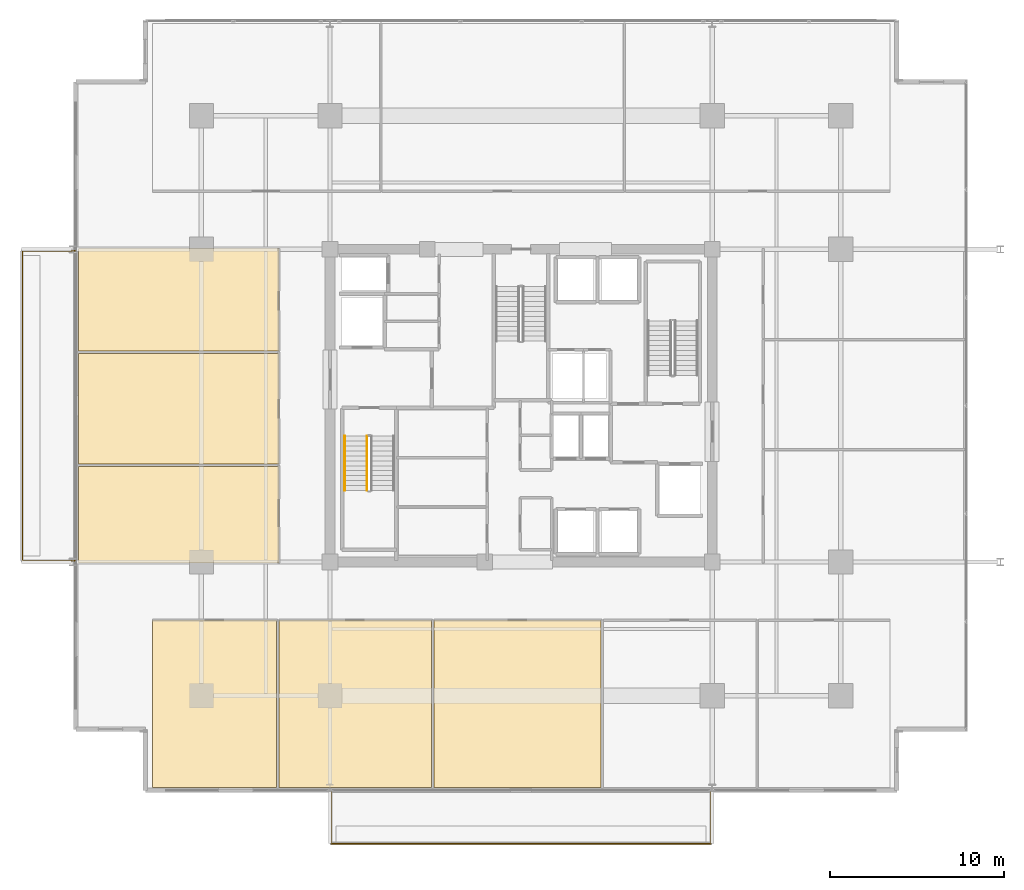
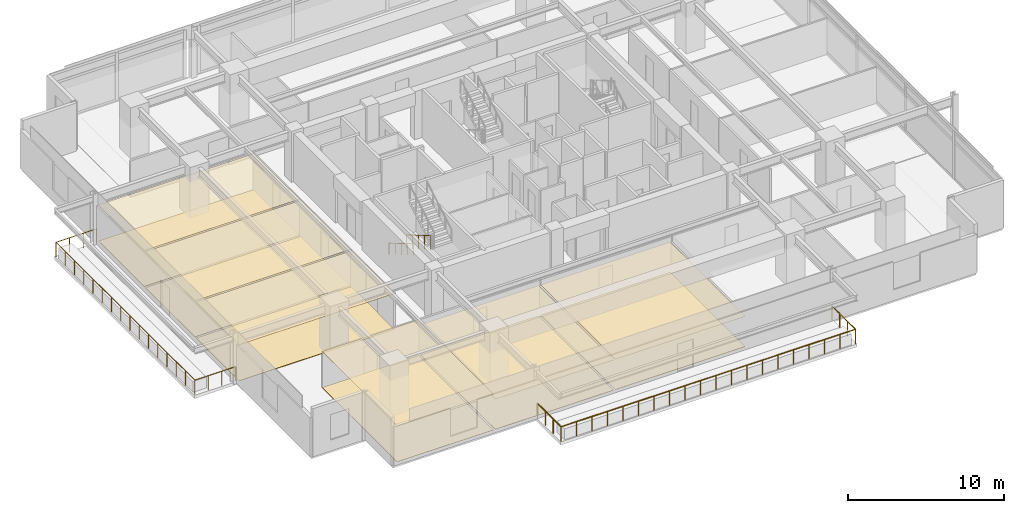
# One storey, part 19 of 23: 12 coverings, 4 railings.
"""IFC4 building model written with IfcOpenShell, lengths in metres."""

import ifcopenshell
import ifcopenshell.guid

model = None  # the IFC model being written
_history = None  # IfcOwnerHistory: only IFC2X3 demands one
_inside = {}  # id of a spatial element -> (the spatial element, [elements in it])
_under = {}  # id of a project, library or spatial element -> (it, [spatial elements below it])
_declared = {}  # id of a project -> (the project, [libraries it declares])
_typed = {}  # id of a type object -> (the type object, [elements of that type])
_made_of = {}  # id of a material, layer set ... -> (it, [elements and type objects made of it])


def new_model(schema):
    """Start an empty IFC model of exactly this schema.

    Asked for "IFC4X3", IfcOpenShell would pick the latest addendum, in which some entities
    have other attributes; the version numbers below select the first issue.
    IFC2X3 requires an IfcOwnerHistory on every rooted entity: one is made here for all.
    """
    global model, _history
    if schema == "IFC4X3":
        model = ifcopenshell.file(schema_version=(4, 3, 0, 0))
    else:
        model = ifcopenshell.file(schema=schema)
    _inside.clear()
    _under.clear()
    _declared.clear()
    _typed.clear()
    _made_of.clear()
    _history = None
    if model.schema == "IFC2X3":
        org = make("IfcOrganization", Name="unknown")
        user = make(
            "IfcPersonAndOrganization",
            ThePerson=make("IfcPerson", FamilyName="unknown"),
            TheOrganization=org,
        )
        app = make(
            "IfcApplication",
            ApplicationDeveloper=org,
            Version="unknown",
            ApplicationFullName="unknown",
            ApplicationIdentifier="unknown",
        )
        _history = make(
            "IfcOwnerHistory",
            OwningUser=user,
            OwningApplication=app,
            ChangeAction="ADDED",
            CreationDate=0,
        )
    return model


def make(cls, **values):
    """One entity of the class cls with the attributes given. An attribute that is None is left unset."""
    return model.create_entity(
        cls, **{name: value for name, value in values.items() if value is not None}
    )


def rooted(cls, **values):
    """An entity with a GlobalId (a new one), such as an element, a storey or a relation."""
    return make(cls, GlobalId=ifcopenshell.guid.new(), OwnerHistory=_history, **values)


def si_unit(unit_type, name, prefix=None):
    """IfcSIUnit, for example si_unit("LENGTHUNIT", "METRE", prefix="MILLI")."""
    return make("IfcSIUnit", UnitType=unit_type, Prefix=prefix, Name=name)


def assignment(units):
    """IfcUnitAssignment: the units of a project."""
    return None if units is None else make("IfcUnitAssignment", Units=units)


def point(xyz):
    """IfcCartesianPoint."""
    return None if xyz is None else make("IfcCartesianPoint", Coordinates=xyz)


def direction(xyz):
    """IfcDirection."""
    return None if xyz is None else make("IfcDirection", DirectionRatios=xyz)


def frame(location, z_axis=None, x_axis=None):
    """IfcAxis2Placement3D, a coordinate frame: its origin and axes. An axis left out is left unset."""
    return make(
        "IfcAxis2Placement3D",
        Location=point(location),
        Axis=direction(z_axis),
        RefDirection=direction(x_axis),
    )


def frame_2d(location, x_axis=None):
    """IfcAxis2Placement2D, a coordinate frame in the plane: its origin and x axis."""
    return make(
        "IfcAxis2Placement2D", Location=point(location), RefDirection=direction(x_axis)
    )


def origin():
    """The frame at (0, 0, 0) with its axes left unset."""
    return frame((0.0, 0.0, 0.0))


def origin_2d():
    """The frame at (0, 0) in the plane with its x axis left unset."""
    return frame_2d((0.0, 0.0))


def place(relative_to, where):
    """IfcLocalPlacement: puts the frame where relative to a parent placement (None: the world)."""
    return make(
        "IfcLocalPlacement", PlacementRelTo=relative_to, RelativePlacement=where
    )


def context(
    kind, dimensions, precision=None, world=None, true_north=None, identifier=None
):
    """IfcGeometricRepresentationContext, for example the 3D "Model" context."""
    return make(
        "IfcGeometricRepresentationContext",
        ContextIdentifier=identifier,
        ContextType=kind,
        CoordinateSpaceDimension=dimensions,
        Precision=precision,
        WorldCoordinateSystem=world,
        TrueNorth=true_north,
    )


def subcontext(parent, identifier, kind, view, scale=None):
    """IfcGeometricRepresentationSubContext, for example "Body" below "Model"."""
    return make(
        "IfcGeometricRepresentationSubContext",
        ContextIdentifier=identifier,
        ContextType=kind,
        ParentContext=parent,
        TargetScale=scale,
        TargetView=view,
    )


def project(units=None, contexts=None):
    """IfcProject with its units and contexts."""
    return rooted(
        "IfcProject",
        Name="project",
        RepresentationContexts=contexts,
        UnitsInContext=assignment(units),
    )


def spatial(cls, under=None, at=None, **own):
    """A site, building, storey or space (cls), placed at a placement, below another one or the project."""
    s = rooted(cls, ObjectPlacement=at, **own)
    if under is not None:
        _under.setdefault(under.id(), (under, []))[1].append(s)
    return s


def polyline(points):
    """IfcPolyline through the points."""
    return make("IfcPolyline", Points=[point(p) for p in points])


def profile(cls, at=None, kind="AREA", **sizes):
    """A parametric profile (cls). Its sizes go by their IFC names, for example OverallWidth=200.0."""
    return make(cls, ProfileType=kind, Position=at, **sizes)


def circle(**sizes):
    """IfcCircleProfileDef."""
    return profile("IfcCircleProfileDef", **sizes)


def outline(outer, holes=None, kind="AREA"):
    """IfcArbitraryClosedProfileDef: a profile drawn as a closed curve; with holes, ...WithVoids."""
    if holes is None:
        return make("IfcArbitraryClosedProfileDef", ProfileType=kind, OuterCurve=outer)
    return make(
        "IfcArbitraryProfileDefWithVoids",
        ProfileType=kind,
        OuterCurve=outer,
        InnerCurves=holes,
    )


def extrude(swept, where, along, depth):
    """IfcExtrudedAreaSolid: the profile swept, set in the frame where, extruded along a direction by depth."""
    return make(
        "IfcExtrudedAreaSolid",
        SweptArea=swept,
        Position=where,
        ExtrudedDirection=direction(along),
        Depth=depth,
    )


def shape(context_of_items, identifier, shape_type, items):
    """IfcShapeRepresentation: the items that make up one representation, for example the "Body"."""
    return make(
        "IfcShapeRepresentation",
        ContextOfItems=context_of_items,
        RepresentationIdentifier=identifier,
        RepresentationType=shape_type,
        Items=items,
    )


def material(Name=None, Category=None):
    """IfcMaterial."""
    return make("IfcMaterial", Name=Name, Category=Category)


def layer(
    of_material, thickness, ventilated=None, Name=None, Category=None, Priority=None
):
    """IfcMaterialLayer: one layer of a wall or slab, of a material (None: an air gap)."""
    return make(
        "IfcMaterialLayer",
        Material=of_material,
        LayerThickness=thickness,
        IsVentilated=ventilated,
        Name=Name,
        Category=Category,
        Priority=Priority,
    )


def layer_set(layers, Name=None):
    """IfcMaterialLayerSet."""
    return make("IfcMaterialLayerSet", MaterialLayers=layers, LayerSetName=Name)


def made_of(thing, what):
    """Note that an element or type object is made of a material, layer set ...; save() writes the relation."""
    if what is not None:
        _made_of.setdefault(what.id(), (what, []))[1].append(thing)
    return thing


def type_object(cls, material=None, **own):
    """A type object (cls), such as IfcWallType, which elements share."""
    return made_of(rooted(cls, **own), material)


def element(
    cls,
    number,
    at=None,
    inside=None,
    cuts=None,
    type_object=None,
    material=None,
    context=None,
    identifier="Body",
    shape_type=None,
    held_by="IfcProductDefinitionShape",
    body=None,
    shapes=None,
    **own,
):
    """One element of the class cls, such as IfcWall. Its Tag is "e" and its number.

    at: its placement. inside: the storey or other place that contains it. cuts: it is an
    opening in that element (IfcRelVoidsElement). A single representation is given by context,
    identifier, shape_type and body (its items); several are given by shapes. held_by: the class
    of the entity that holds the representations. save() writes the other relations.
    """
    e = rooted(cls, Tag="e%d" % number, ObjectPlacement=at, **own)
    if body is not None:
        shapes = [shape(context, identifier, shape_type, body)]
    if shapes is not None:
        e.Representation = make(held_by, Representations=shapes)
    if inside is not None:
        _inside.setdefault(inside.id(), (inside, []))[1].append(e)
    if cuts is not None:
        rooted(
            "IfcRelVoidsElement", RelatingBuildingElement=cuts, RelatedOpeningElement=e
        )
    if type_object is not None:
        _typed.setdefault(type_object.id(), (type_object, []))[1].append(e)
    return made_of(e, material)


def aggregate(whole, parts):
    """IfcRelAggregates: a whole, such as a stair, and the parts it consists of."""
    return rooted("IfcRelAggregates", RelatingObject=whole, RelatedObjects=parts)


def save(model, path):
    """Write the relations noted so far, then the file.

    IfcRelAggregates (storeys below a building ...), IfcRelContainedInSpatialStructure (elements
    in a storey), IfcRelDefinesByType, IfcRelAssociatesMaterial and IfcRelDeclares: one each for
    every whole, place, type object, material and project.
    """
    for whole, parts in _under.values():
        aggregate(whole, parts)
    for where, things in _inside.values():
        rooted(
            "IfcRelContainedInSpatialStructure",
            RelatedElements=things,
            RelatingStructure=where,
        )
    for kind, things in _typed.values():
        rooted("IfcRelDefinesByType", RelatedObjects=things, RelatingType=kind)
    for what, things in _made_of.values():
        rooted("IfcRelAssociatesMaterial", RelatedObjects=things, RelatingMaterial=what)
    for by, libraries in _declared.values():
        rooted("IfcRelDeclares", RelatingContext=by, RelatedDefinitions=libraries)
    model.write(path)


model = new_model("IFC4")

# Units and contexts
model_context = context("Model", 3, precision=1e-05, world=origin(), true_north=direction((0.0, 1.0)))
body_context = subcontext(model_context, "Body", "Model", "MODEL_VIEW")
ifc_project = project(units=[si_unit("LENGTHUNIT", "METRE"), si_unit("AREAUNIT", "SQUARE_METRE"), si_unit("VOLUMEUNIT", "CUBIC_METRE"), si_unit("PLANEANGLEUNIT", "RADIAN"), si_unit("MASSUNIT", "GRAM", prefix="KILO")], contexts=[model_context])

# Site, building, storey
site_placement = place(None, origin())
site = spatial("IfcSite", under=ifc_project, at=site_placement, CompositionType="ELEMENT")
building_placement = place(site_placement, origin())
building = spatial("IfcBuilding", under=site, at=building_placement, Name="Kovane Verandah Tower", CompositionType="ELEMENT")
storey_placement = place(building_placement, frame((0.0, 0.0, 221.199951171875)))
storey = spatial("IfcBuildingStorey", under=building, at=storey_placement, Name="L51", CompositionType="ELEMENT", Elevation=221.199951171875)

# Coverings
ifc_material_1 = material(Name="Perforated Acoustic Mineral-Fibre Ceiling Tile", Category="gypsum")
ifc_layer_1 = layer(ifc_material_1, 0.02490234375)
ifc_layer_set_1 = layer_set([ifc_layer_1], Name="Perforated Acoustic Mineral-Fibre Ceiling Tile")
covering_type_1 = type_object("IfcCoveringType", Name="CV-CEIL-25", PredefinedType="CEILING", material=ifc_layer_set_1)
covering_1_placement = place(storey_placement, frame((0.0, 0.0, 2.824951171875)))
element("IfcCovering", 1, at=covering_1_placement, inside=storey, type_object=covering_type_1, Name="L51 Breakout Pantry S1 Acoustic Ceiling", PredefinedType="CEILING", context=body_context, shape_type="SweptSolid", body=[
    extrude(outline(polyline([(18.768798828125, 5.509521484375), (25.917236328125, 5.509521484375), (25.917236328125, 15.14990234375), (18.768798828125, 15.14990234375), (18.768798828125, 5.509521484375)])), origin(), (0.0, 0.0, 1.0), 0.025146484375),
])
covering_2_placement = place(storey_placement, frame((0.0, 0.0, 2.380126953125)))
element("IfcCovering", 2, at=covering_2_placement, inside=storey, type_object=covering_type_1, Name="L51 Collaboration Hub S2 Acoustic Ceiling", PredefinedType="CEILING", context=body_context, shape_type="SweptSolid", body=[
    extrude(outline(polyline([(26.057373046875, 5.509521484375), (34.83447265625, 5.509521484375), (34.83447265625, 15.14990234375), (26.057373046875, 15.14990234375), (26.057373046875, 5.509521484375)])), origin(), (0.0, 0.0, 1.0), 0.02490234375),
])
covering_3_placement = place(storey_placement, frame((0.0, 0.0, 2.380126953125)))
element("IfcCovering", 3, at=covering_3_placement, inside=storey, type_object=covering_type_1, Name="L51 Document and Print Room S3 Acoustic Ceiling", PredefinedType="CEILING", context=body_context, shape_type="SweptSolid", body=[
    extrude(outline(polyline([(34.974609375, 5.509521484375), (44.600830078125, 5.509521484375), (44.600830078125, 15.14990234375), (34.974609375, 15.14990234375), (34.974609375, 5.509521484375)])), origin(), (0.0, 0.0, 1.0), 0.02490234375),
])
covering_4_placement = place(storey_placement, frame((0.0, 0.0, 2.824951171875)))
element("IfcCovering", 4, at=covering_4_placement, inside=storey, type_object=covering_type_1, Name="L51 Client Boardroom W1 Acoustic Ceiling", PredefinedType="CEILING", context=body_context, shape_type="SweptSolid", body=[
    extrude(outline(polyline([(14.518798828125, 18.449951171875), (26.050048828125, 18.449951171875), (26.050048828125, 23.990966796875), (14.518798828125, 23.990966796875), (14.518798828125, 18.449951171875)])), origin(), (0.0, 0.0, 1.0), 0.025146484375),
])
covering_5_placement = place(storey_placement, frame((0.0, 0.0, 2.824951171875)))
element("IfcCovering", 5, at=covering_5_placement, inside=storey, type_object=covering_type_1, Name="L51 Meeting Room W2 Acoustic Ceiling", PredefinedType="CEILING", context=body_context, shape_type="SweptSolid", body=[
    extrude(outline(polyline([(14.518798828125, 24.131103515625), (26.050048828125, 24.131103515625), (26.050048828125, 30.507080078125), (14.518798828125, 30.507080078125), (14.518798828125, 24.131103515625)])), origin(), (0.0, 0.0, 1.0), 0.025146484375),
])
covering_6_placement = place(storey_placement, frame((0.0, 0.0, 2.824951171875)))
element("IfcCovering", 6, at=covering_6_placement, inside=storey, type_object=covering_type_1, Name="L51 Focus Studio W3 Acoustic Ceiling", PredefinedType="CEILING", context=body_context, shape_type="SweptSolid", body=[
    extrude(outline(polyline([(14.518798828125, 30.64697265625), (26.050048828125, 30.64697265625), (26.050048828125, 36.550048828125), (14.518798828125, 36.550048828125), (14.518798828125, 30.64697265625)])), origin(), (0.0, 0.0, 1.0), 0.025146484375),
])
ifc_material_2 = material(Name="Polished Terrazzo and Raised-Access Carpet Tile Finish", Category="concrete")
ifc_layer_2 = layer(ifc_material_2, 0.030029296875)
ifc_layer_set_2 = layer_set([ifc_layer_2], Name="Polished Terrazzo and Raised-Access Carpet Tile Finish")
covering_type_2 = type_object("IfcCoveringType", Name="CV-FLOR-30", PredefinedType="FLOORING", material=ifc_layer_set_2)
covering_7_placement = place(storey_placement, origin())
element("IfcCovering", 7, at=covering_7_placement, inside=storey, type_object=covering_type_2, Name="L51 Breakout Pantry S1 Floor Finish", PredefinedType="FLOORING", context=body_context, shape_type="SweptSolid", body=[
    extrude(outline(polyline([(18.768798828125, 5.509521484375), (25.917236328125, 5.509521484375), (25.917236328125, 15.14990234375), (18.768798828125, 15.14990234375), (18.768798828125, 5.509521484375)])), origin(), (0.0, 0.0, 1.0), 0.030029296875),
])
covering_8_placement = place(storey_placement, origin())
element("IfcCovering", 8, at=covering_8_placement, inside=storey, type_object=covering_type_2, Name="L51 Collaboration Hub S2 Floor Finish", PredefinedType="FLOORING", context=body_context, shape_type="SweptSolid", body=[
    extrude(outline(polyline([(26.057373046875, 5.509521484375), (34.83447265625, 5.509521484375), (34.83447265625, 15.14990234375), (26.057373046875, 15.14990234375), (26.057373046875, 5.509521484375)])), origin(), (0.0, 0.0, 1.0), 0.030029296875),
])
covering_9_placement = place(storey_placement, origin())
element("IfcCovering", 9, at=covering_9_placement, inside=storey, type_object=covering_type_2, Name="L51 Document and Print Room S3 Floor Finish", PredefinedType="FLOORING", context=body_context, shape_type="SweptSolid", body=[
    extrude(outline(polyline([(34.974609375, 5.509521484375), (44.600830078125, 5.509521484375), (44.600830078125, 15.14990234375), (34.974609375, 15.14990234375), (34.974609375, 5.509521484375)])), origin(), (0.0, 0.0, 1.0), 0.030029296875),
])
covering_10_placement = place(storey_placement, origin())
element("IfcCovering", 10, at=covering_10_placement, inside=storey, type_object=covering_type_2, Name="L51 Client Boardroom W1 Floor Finish", PredefinedType="FLOORING", context=body_context, shape_type="SweptSolid", body=[
    extrude(outline(polyline([(14.518798828125, 18.449951171875), (26.050048828125, 18.449951171875), (26.050048828125, 23.990966796875), (14.518798828125, 23.990966796875), (14.518798828125, 18.449951171875)])), origin(), (0.0, 0.0, 1.0), 0.030029296875),
])
covering_11_placement = place(storey_placement, origin())
element("IfcCovering", 11, at=covering_11_placement, inside=storey, type_object=covering_type_2, Name="L51 Meeting Room W2 Floor Finish", PredefinedType="FLOORING", context=body_context, shape_type="SweptSolid", body=[
    extrude(outline(polyline([(14.518798828125, 24.131103515625), (26.050048828125, 24.131103515625), (26.050048828125, 30.507080078125), (14.518798828125, 30.507080078125), (14.518798828125, 24.131103515625)])), origin(), (0.0, 0.0, 1.0), 0.030029296875),
])
covering_12_placement = place(storey_placement, origin())
element("IfcCovering", 12, at=covering_12_placement, inside=storey, type_object=covering_type_2, Name="L51 Focus Studio W3 Floor Finish", PredefinedType="FLOORING", context=body_context, shape_type="SweptSolid", body=[
    extrude(outline(polyline([(14.518798828125, 30.64697265625), (26.050048828125, 30.64697265625), (26.050048828125, 36.550048828125), (14.518798828125, 36.550048828125), (14.518798828125, 30.64697265625)])), origin(), (0.0, 0.0, 1.0), 0.030029296875),
])

# Railings
ifc_material_3 = material(Name="Laminated Glass and Pale-Champagne Stainless Balustrade", Category="glass")
railing_type_1 = type_object("IfcRailingType", Name="RL-BAL-1150", PredefinedType="BALUSTRADE", material=ifc_material_3)
railing_1_placement = place(storey_placement, frame((29.080078125, 5.3095703125, 0.0)))
element("IfcRailing", 13, at=railing_1_placement, inside=storey, type_object=railing_type_1, Name="L51 S Verandah Glass Balustrade", PredefinedType="BALUSTRADE", context=body_context, shape_type="SweptSolid", body=[
    extrude(circle(Radius=0.02392578125, at=origin_2d()), frame((0.0, 0.0, 1.1259765625), z_axis=(0.0, -1.0, 0.0), x_axis=(1.0, 0.0, 0.0)), (0.0, 0.0, 1.0), 3.02001953125),
    extrude(circle(Radius=0.02392578125, at=origin_2d()), frame((0.0, -3.02001953125, 1.1259765625), z_axis=(1.0, 0.0, 0.0), x_axis=(0.0, 1.0, 0.0)), (0.0, 0.0, 1.0), 21.83984375),
    extrude(circle(Radius=0.02392578125, at=origin_2d()), frame((21.83984375, -3.02001953125, 1.1259765625), z_axis=(0.0, 1.0, 0.0), x_axis=(-1.0, 0.0, 0.0)), (0.0, 0.0, 1.0), 3.02001953125),
    extrude(circle(Radius=0.02099609375, at=origin_2d()), origin(), (0.0, 0.0, 1.0), 1.101806640625),
    extrude(circle(Radius=0.02099609375, at=origin_2d()), frame((0.0, -1.006591796875, 0.0)), (0.0, 0.0, 1.0), 1.101806640625),
    extrude(circle(Radius=0.02099609375, at=origin_2d()), frame((0.0, -2.013427734375, 0.0)), (0.0, 0.0, 1.0), 1.101806640625),
    extrude(circle(Radius=0.02099609375, at=origin_2d()), frame((0.0, -3.02001953125, 0.0)), (0.0, 0.0, 1.0), 1.101806640625),
    extrude(circle(Radius=0.02099609375, at=origin_2d()), frame((1.1494140625, -3.02001953125, 0.0)), (0.0, 0.0, 1.0), 1.101806640625),
    extrude(circle(Radius=0.02099609375, at=origin_2d()), frame((2.298828125, -3.02001953125, 0.0)), (0.0, 0.0, 1.0), 1.101806640625),
    extrude(circle(Radius=0.02099609375, at=origin_2d()), frame((3.448486328125, -3.02001953125, 0.0)), (0.0, 0.0, 1.0), 1.101806640625),
    extrude(circle(Radius=0.02099609375, at=origin_2d()), frame((4.597900390625, -3.02001953125, 0.0)), (0.0, 0.0, 1.0), 1.101806640625),
    extrude(circle(Radius=0.02099609375, at=origin_2d()), frame((5.747314453125, -3.02001953125, 0.0)), (0.0, 0.0, 1.0), 1.101806640625),
    extrude(circle(Radius=0.02099609375, at=origin_2d()), frame((6.896728515625, -3.02001953125, 0.0)), (0.0, 0.0, 1.0), 1.101806640625),
    extrude(circle(Radius=0.02099609375, at=origin_2d()), frame((8.046142578125, -3.02001953125, 0.0)), (0.0, 0.0, 1.0), 1.101806640625),
    extrude(circle(Radius=0.02099609375, at=origin_2d()), frame((9.19580078125, -3.02001953125, 0.0)), (0.0, 0.0, 1.0), 1.101806640625),
    extrude(circle(Radius=0.02099609375, at=origin_2d()), frame((10.34521484375, -3.02001953125, 0.0)), (0.0, 0.0, 1.0), 1.101806640625),
    extrude(circle(Radius=0.02099609375, at=origin_2d()), frame((11.49462890625, -3.02001953125, 0.0)), (0.0, 0.0, 1.0), 1.101806640625),
    extrude(circle(Radius=0.02099609375, at=origin_2d()), frame((12.64404296875, -3.02001953125, 0.0)), (0.0, 0.0, 1.0), 1.101806640625),
    extrude(circle(Radius=0.02099609375, at=origin_2d()), frame((13.793701171875, -3.02001953125, 0.0)), (0.0, 0.0, 1.0), 1.101806640625),
    extrude(circle(Radius=0.02099609375, at=origin_2d()), frame((14.943115234375, -3.02001953125, 0.0)), (0.0, 0.0, 1.0), 1.101806640625),
    extrude(circle(Radius=0.02099609375, at=origin_2d()), frame((16.092529296875, -3.02001953125, 0.0)), (0.0, 0.0, 1.0), 1.101806640625),
    extrude(circle(Radius=0.02099609375, at=origin_2d()), frame((17.241943359375, -3.02001953125, 0.0)), (0.0, 0.0, 1.0), 1.101806640625),
    extrude(circle(Radius=0.02099609375, at=origin_2d()), frame((18.391357421875, -3.02001953125, 0.0)), (0.0, 0.0, 1.0), 1.101806640625),
    extrude(circle(Radius=0.02099609375, at=origin_2d()), frame((19.541015625, -3.02001953125, 0.0)), (0.0, 0.0, 1.0), 1.101806640625),
    extrude(circle(Radius=0.02099609375, at=origin_2d()), frame((20.6904296875, -3.02001953125, 0.0)), (0.0, 0.0, 1.0), 1.101806640625),
    extrude(circle(Radius=0.02099609375, at=origin_2d()), frame((21.83984375, -3.02001953125, 0.0)), (0.0, 0.0, 1.0), 1.101806640625),
    extrude(circle(Radius=0.02099609375, at=origin_2d()), frame((21.83984375, -2.013427734375, 0.0)), (0.0, 0.0, 1.0), 1.101806640625),
    extrude(circle(Radius=0.02099609375, at=origin_2d()), frame((21.83984375, -1.006591796875, 0.0)), (0.0, 0.0, 1.0), 1.101806640625),
    extrude(circle(Radius=0.02099609375, at=origin_2d()), frame((21.83984375, 0.0, 0.0)), (0.0, 0.0, 1.0), 1.101806640625),
])
railing_2_placement = place(storey_placement, frame((14.318603515625, 18.580078125, 0.0)))
element("IfcRailing", 14, at=railing_2_placement, inside=storey, type_object=railing_type_1, Name="L51 W Verandah Glass Balustrade", PredefinedType="BALUSTRADE", context=body_context, shape_type="SweptSolid", body=[
    extrude(circle(Radius=0.02392578125, at=origin_2d()), frame((0.0, 0.0, 1.1259765625), z_axis=(-1.0, 0.0, 0.0), x_axis=(0.0, -1.0, 0.0)), (0.0, 0.0, 1.0), 3.02001953125),
    extrude(circle(Radius=0.02392578125, at=origin_2d()), frame((-3.02001953125, 0.0, 1.1259765625), z_axis=(0.0, 1.0, 0.0), x_axis=(-1.0, 0.0, 0.0)), (0.0, 0.0, 1.0), 17.83984375),
    extrude(circle(Radius=0.02392578125, at=origin_2d()), frame((-3.02001953125, 17.83984375, 1.1259765625), z_axis=(1.0, 0.0, 0.0), x_axis=(0.0, 1.0, 0.0)), (0.0, 0.0, 1.0), 3.02001953125),
    extrude(circle(Radius=0.02099609375, at=origin_2d()), origin(), (0.0, 0.0, 1.0), 1.101806640625),
    extrude(circle(Radius=0.02099609375, at=origin_2d()), frame((-1.006591796875, 0.0, 0.0)), (0.0, 0.0, 1.0), 1.101806640625),
    extrude(circle(Radius=0.02099609375, at=origin_2d()), frame((-2.013427734375, 0.0, 0.0)), (0.0, 0.0, 1.0), 1.101806640625),
    extrude(circle(Radius=0.02099609375, at=origin_2d()), frame((-3.02001953125, 0.0, 0.0)), (0.0, 0.0, 1.0), 1.101806640625),
    extrude(circle(Radius=0.02099609375, at=origin_2d()), frame((-3.02001953125, 1.189208984375, 0.0)), (0.0, 0.0, 1.0), 1.101806640625),
    extrude(circle(Radius=0.02099609375, at=origin_2d()), frame((-3.02001953125, 2.378662109375, 0.0)), (0.0, 0.0, 1.0), 1.101806640625),
    extrude(circle(Radius=0.02099609375, at=origin_2d()), frame((-3.02001953125, 3.56787109375, 0.0)), (0.0, 0.0, 1.0), 1.101806640625),
    extrude(circle(Radius=0.02099609375, at=origin_2d()), frame((-3.02001953125, 4.75732421875, 0.0)), (0.0, 0.0, 1.0), 1.101806640625),
    extrude(circle(Radius=0.02099609375, at=origin_2d()), frame((-3.02001953125, 5.946533203125, 0.0)), (0.0, 0.0, 1.0), 1.101806640625),
    extrude(circle(Radius=0.02099609375, at=origin_2d()), frame((-3.02001953125, 7.135986328125, 0.0)), (0.0, 0.0, 1.0), 1.101806640625),
    extrude(circle(Radius=0.02099609375, at=origin_2d()), frame((-3.02001953125, 8.3251953125, 0.0)), (0.0, 0.0, 1.0), 1.101806640625),
    extrude(circle(Radius=0.02099609375, at=origin_2d()), frame((-3.02001953125, 9.5146484375, 0.0)), (0.0, 0.0, 1.0), 1.101806640625),
    extrude(circle(Radius=0.02099609375, at=origin_2d()), frame((-3.02001953125, 10.703857421875, 0.0)), (0.0, 0.0, 1.0), 1.101806640625),
    extrude(circle(Radius=0.02099609375, at=origin_2d()), frame((-3.02001953125, 11.893310546875, 0.0)), (0.0, 0.0, 1.0), 1.101806640625),
    extrude(circle(Radius=0.02099609375, at=origin_2d()), frame((-3.02001953125, 13.08251953125, 0.0)), (0.0, 0.0, 1.0), 1.101806640625),
    extrude(circle(Radius=0.02099609375, at=origin_2d()), frame((-3.02001953125, 14.27197265625, 0.0)), (0.0, 0.0, 1.0), 1.101806640625),
    extrude(circle(Radius=0.02099609375, at=origin_2d()), frame((-3.02001953125, 15.461181640625, 0.0)), (0.0, 0.0, 1.0), 1.101806640625),
    extrude(circle(Radius=0.02099609375, at=origin_2d()), frame((-3.02001953125, 16.650634765625, 0.0)), (0.0, 0.0, 1.0), 1.101806640625),
    extrude(circle(Radius=0.02099609375, at=origin_2d()), frame((-3.02001953125, 17.83984375, 0.0)), (0.0, 0.0, 1.0), 1.101806640625),
    extrude(circle(Radius=0.02099609375, at=origin_2d()), frame((-2.013427734375, 17.83984375, 0.0)), (0.0, 0.0, 1.0), 1.101806640625),
    extrude(circle(Radius=0.02099609375, at=origin_2d()), frame((-1.006591796875, 17.83984375, 0.0)), (0.0, 0.0, 1.0), 1.101806640625),
    extrude(circle(Radius=0.02099609375, at=origin_2d()), frame((0.0, 17.83984375, 0.0)), (0.0, 0.0, 1.0), 1.101806640625),
])
ifc_material_4 = material(Name="Brushed Stainless Steel Handrail", Category="steel")
railing_type_2 = type_object("IfcRailingType", Name="RL-HAND-920", PredefinedType="HANDRAIL", material=ifc_material_4)
railing_3_placement = place(storey_placement, frame((29.85009765625, 25.75, 0.166748046875)))
element("IfcRailing", 15, at=railing_3_placement, inside=storey, type_object=railing_type_2, Name="L51 ST-01 stair handrail 1", PredefinedType="HANDRAIL", context=body_context, shape_type="SweptSolid", body=[
    extrude(circle(Radius=0.02392578125, at=origin_2d()), frame((0.0, 0.0, 0.8759765625), z_axis=(0.0, -0.863239559939, 0.504794475164), x_axis=(1.0, 0.0, 0.0)), (0.0, 0.0, 1.0), 3.631591796875),
    extrude(circle(Radius=0.02099609375, at=origin_2d()), origin(), (0.0, 0.0, 1.0), 0.851806640625),
    extrude(circle(Radius=0.02099609375, at=origin_2d()), frame((0.0, -0.78369140625, 0.458251953125)), (0.0, 0.0, 1.0), 0.851806640625),
    extrude(circle(Radius=0.02099609375, at=origin_2d()), frame((0.0, -1.5673828125, 0.91650390625)), (0.0, 0.0, 1.0), 0.851806640625),
    extrude(circle(Radius=0.02099609375, at=origin_2d()), frame((0.0, -2.351318359375, 1.375)), (0.0, 0.0, 1.0), 0.851806640625),
    extrude(circle(Radius=0.02099609375, at=origin_2d()), frame((0.0, -3.135009765625, 1.833251953125)), (0.0, 0.0, 1.0), 0.851806640625),
])
ifc_material_5 = material(Name="Painted Steel Stairwell Guardrail", Category="steel")
railing_type_3 = type_object("IfcRailingType", Name="RL-STGUARD-1120", PredefinedType="GUARDRAIL", material=ifc_material_5)
railing_4_placement = place(storey_placement, frame((31.1298828125, 25.75, 0.166748046875)))
element("IfcRailing", 16, at=railing_4_placement, inside=storey, type_object=railing_type_3, Name="L51 ST-01 stair guard 1", PredefinedType="GUARDRAIL", context=body_context, shape_type="SweptSolid", body=[
    extrude(circle(Radius=0.02392578125, at=origin_2d()), frame((0.0, 0.0, 1.076171875), z_axis=(0.0, -0.863239559939, 0.504794475164), x_axis=(1.0, 0.0, 0.0)), (0.0, 0.0, 1.0), 3.631591796875),
    extrude(circle(Radius=0.02099609375, at=origin_2d()), origin(), (0.0, 0.0, 1.0), 1.052001953125),
    extrude(circle(Radius=0.02099609375, at=origin_2d()), frame((0.0, -0.78369140625, 0.458251953125)), (0.0, 0.0, 1.0), 1.052001953125),
    extrude(circle(Radius=0.02099609375, at=origin_2d()), frame((0.0, -1.5673828125, 0.91650390625)), (0.0, 0.0, 1.0), 1.052001953125),
    extrude(circle(Radius=0.02099609375, at=origin_2d()), frame((0.0, -2.351318359375, 1.375)), (0.0, 0.0, 1.0), 1.052001953125),
    extrude(circle(Radius=0.02099609375, at=origin_2d()), frame((0.0, -3.135009765625, 1.833251953125)), (0.0, 0.0, 1.0), 1.052001953125),
])

save(model, "model.ifc")
